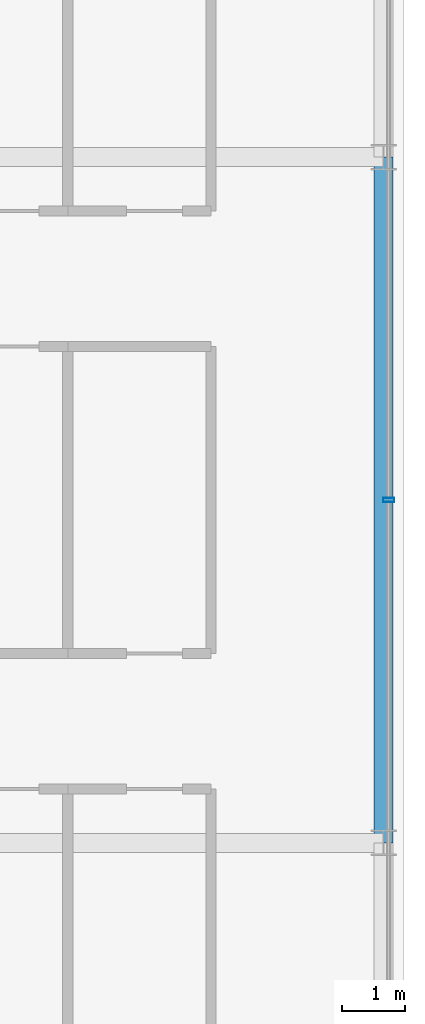
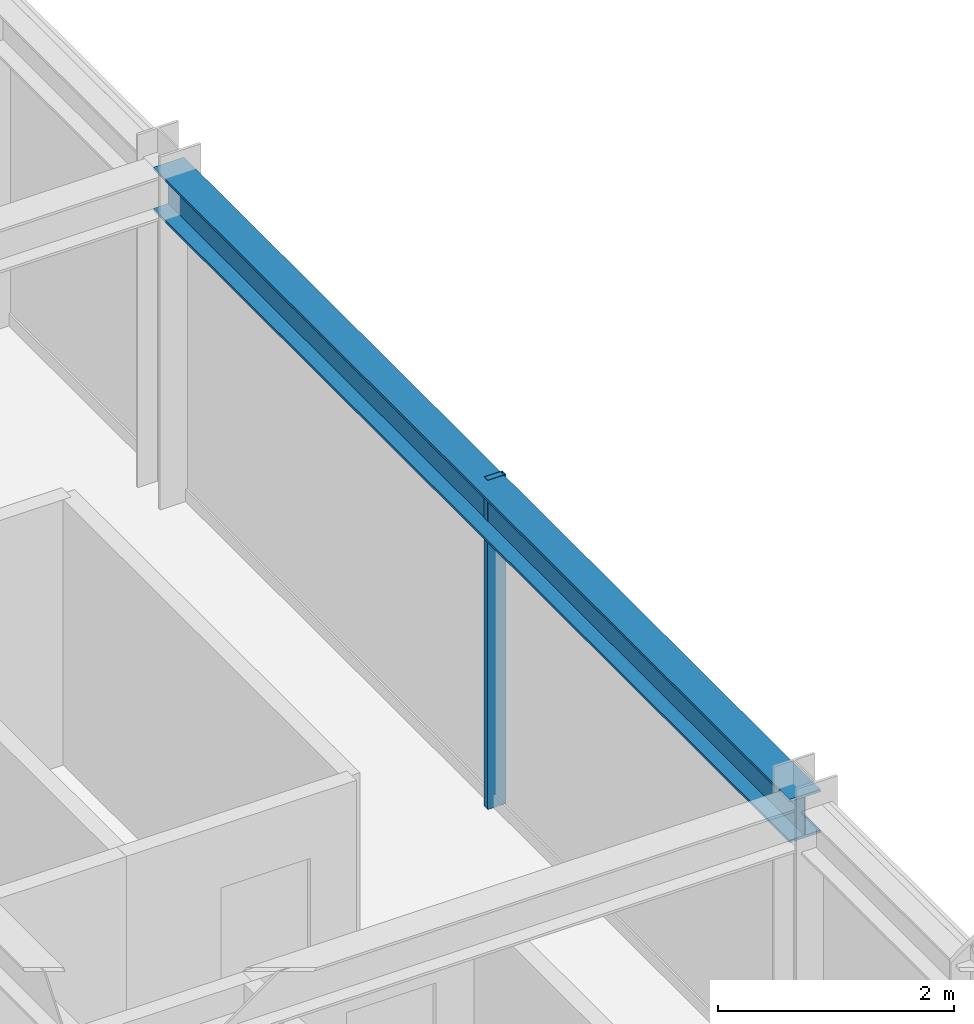
# One storey, part 17 of 35: 1 beam, 1 member, 1 element without a shape of its own.
"""IFC4 building model written with IfcOpenShell, lengths in metres."""

from ifc_helpers import new_model, si_unit, direction, frame, origin, origin_2d, place, context, subcontext, project, spatial, hollow_rectangle, i_section, extrude, source, transform, mapped, material, material_profile, profile_set, type_object, element, aggregate, save


model = new_model("IFC4")

# Units and contexts
model_context = context("Model", 3, precision=1e-05, world=origin(), true_north=direction((0.0, 1.0)))
body_context = subcontext(model_context, "Body", "Model", "MODEL_VIEW")
ifc_project = project(units=[si_unit("LENGTHUNIT", "METRE"), si_unit("AREAUNIT", "SQUARE_METRE"), si_unit("VOLUMEUNIT", "CUBIC_METRE"), si_unit("PLANEANGLEUNIT", "RADIAN"), si_unit("MASSUNIT", "GRAM", prefix="KILO")], contexts=[model_context])

# Site, building, storey
site_placement = place(None, origin())
site = spatial("IfcSite", under=ifc_project, at=site_placement, CompositionType="ELEMENT")
building_placement = place(site_placement, origin())
building = spatial("IfcBuilding", under=site, at=building_placement, Name="Nahalor Promenade Grand Hotel", CompositionType="ELEMENT")
storey_placement = place(building_placement, frame((0.0, 0.0, 245.60009765625)))
storey = spatial("IfcBuildingStorey", under=building, at=storey_placement, Name="L63", CompositionType="ELEMENT", Elevation=245.60009765625)

# Beam
ifc_material_1 = material(Name="Steel S355JR", Category="steel")
ifc_material_profile_1 = material_profile(ifc_material_1, i_section(OverallWidth=0.3, OverallDepth=0.45, WebThickness=0.014, FlangeThickness=0.026, at=origin_2d()), Name="HEB 450")
ifc_profile_set_1 = profile_set([ifc_material_profile_1], Name="Steel S355JR")
beam_type = type_object("IfcBeamType", Name="Beam-Spandrel-HEB450", PredefinedType="SPANDREL", material=ifc_profile_set_1)
shared_shape_1 = source(origin(), body_context, "Body", "SweptSolid", [
    extrude(i_section(OverallWidth=0.3, OverallDepth=0.45, WebThickness=0.014, FlangeThickness=0.026, at=origin_2d()), origin(), (0.0, 0.0, 1.0), 10.7998046875),
])
beam_placement = place(storey_placement, frame((23.8798828125, -5.39990234375, 3.184814453125), z_axis=(0.0, 1.0, 0.0), x_axis=(-1.0, 0.0, 0.0)))
element("IfcBeam", 1, at=beam_placement, inside=storey, type_object=beam_type, Name="BM-L63-SP-E-2", PredefinedType="SPANDREL", context=body_context, shape_type="MappedRepresentation", body=[
    mapped(shared_shape_1, transform((0.0, 0.0, 0.0), scale=1.0)),
])

# Curtain wall, member
ifc_material_2 = material(Name="Anodised Bronze Aluminium EN AW-6063 T6", Category="aluminium")
curtain_wall_type = type_object("IfcCurtainWallType", Name="CW2 Typical Hotel Flush Bronze Unitised Curtain Wall", PredefinedType="USERDEFINED", material=ifc_material_2)
curtain_wall_placement = place(storey_placement, origin())
curtain_wall = element("IfcCurtainWall", 2, at=curtain_wall_placement, inside=storey, type_object=curtain_wall_type, Name="L63 Curtain Wall CW-L63-E-1", ObjectType="UNITISED_CURTAIN_WALL", PredefinedType="USERDEFINED")
ifc_material_profile_2 = material_profile(ifc_material_2, hollow_rectangle(XDim=0.065, YDim=0.18, WallThickness=0.004, at=origin_2d()), Name="CWM 65x180x4")
ifc_profile_set_2 = profile_set([ifc_material_profile_2], Name="Anodised Bronze Aluminium EN AW-6063 T6")
member_type = type_object("IfcMemberType", Name="CWM2 Typical Bronze Mullion 65x180", PredefinedType="MULLION", material=ifc_profile_set_2)
shared_shape_2 = source(origin(), body_context, "Body", "SweptSolid", [
    extrude(hollow_rectangle(XDim=0.065, YDim=0.18, WallThickness=0.004, at=origin_2d()), origin(), (0.0, 0.0, 1.0), 3.409912109375),
])
member_placement = place(storey_placement, frame((23.9599609375, 0.0, 0.0), z_axis=(0.0, 0.0, 1.0), x_axis=(0.0, 1.0, 0.0)))
member = element("IfcMember", 3, at=member_placement, type_object=member_type, Name="CW-L63-E-1 Mullion 2", PredefinedType="MULLION", context=body_context, shape_type="MappedRepresentation", body=[
    mapped(shared_shape_2, transform((0.0, 0.0, 0.0), scale=1.0)),
])
aggregate(curtain_wall, [member])

save(model, "model.ifc")
